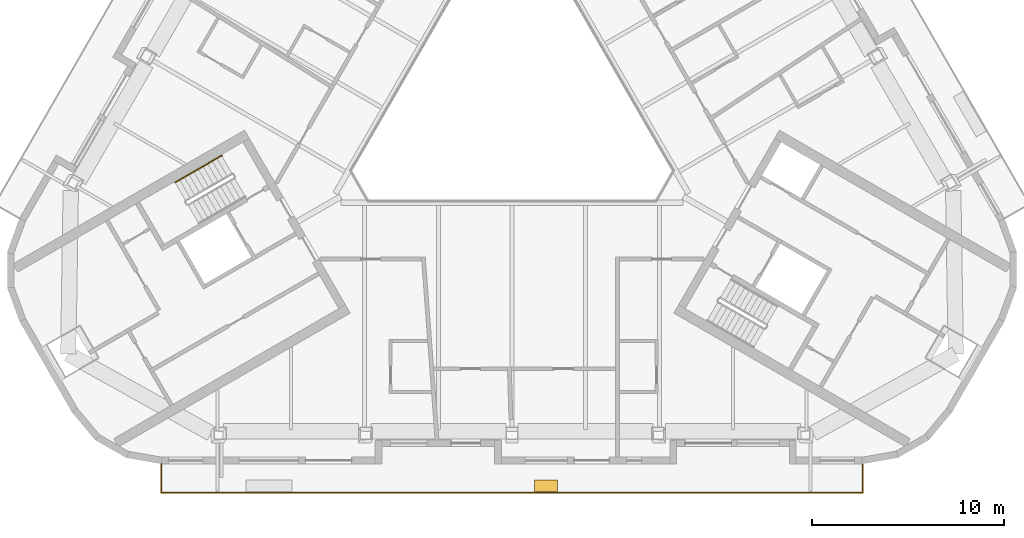
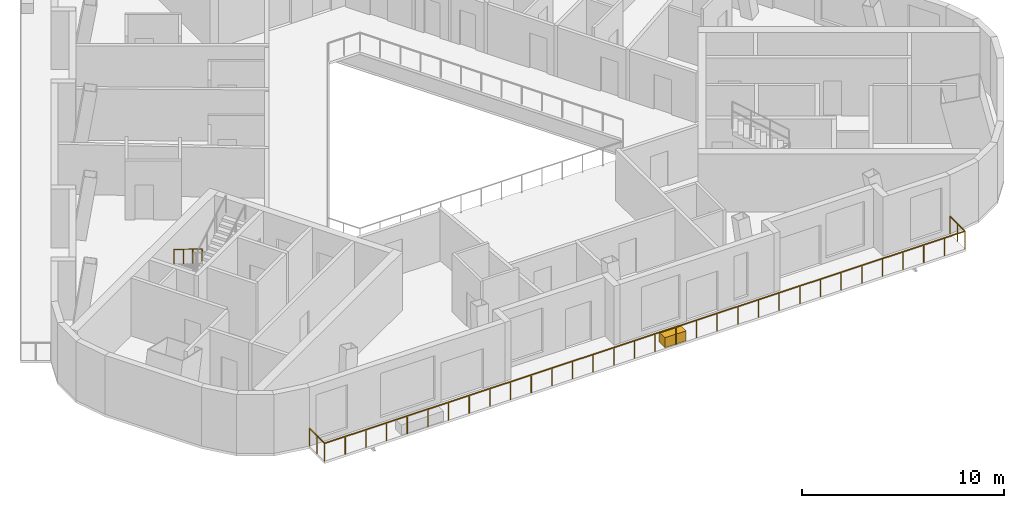
# One storey, part 10 of 14: 2 railings, 1 covering.
"""IFC4 building model written with IfcOpenShell, lengths in metres."""

from ifc_helpers import new_model, si_unit, direction, frame, origin, origin_2d, place, context, subcontext, project, spatial, rectangle, circle, extrude, material, type_object, element, save


model = new_model("IFC4")

# Units and contexts
model_context = context("Model", 3, precision=1e-05, world=origin(), true_north=direction((0.0, 1.0)))
body_context = subcontext(model_context, "Body", "Model", "MODEL_VIEW")
ifc_project = project(units=[si_unit("LENGTHUNIT", "METRE"), si_unit("AREAUNIT", "SQUARE_METRE"), si_unit("VOLUMEUNIT", "CUBIC_METRE"), si_unit("PLANEANGLEUNIT", "RADIAN"), si_unit("MASSUNIT", "GRAM", prefix="KILO")], contexts=[model_context])

# Site, building, storey
site_placement = place(None, origin())
site = spatial("IfcSite", under=ifc_project, at=site_placement, CompositionType="ELEMENT")
building_placement = place(site_placement, origin())
building = spatial("IfcBuilding", under=site, at=building_placement, Name="Apuvela Tower Hotel", CompositionType="ELEMENT")
storey_placement = place(building_placement, frame((0.0, 0.0, 265.199951171875)))
storey = spatial("IfcBuildingStorey", under=building, at=storey_placement, Name="L65", CompositionType="ELEMENT", Elevation=265.199951171875)

# Railings
ifc_material_1 = material(Name="Stainless steel 316 handrail", Category="steel")
railing_type_1 = type_object("IfcRailingType", Name="COR-HANDRAIL-900", PredefinedType="HANDRAIL", material=ifc_material_1)
railing_1_placement = place(storey_placement, frame((-15.118896484375, -3.01318359375, 0.168212890625)))
element("IfcRailing", 1, at=railing_1_placement, inside=storey, type_object=railing_type_1, Name="L65 ST2 stair handrail 1", PredefinedType="HANDRAIL", context=body_context, shape_type="SweptSolid", body=[
    extrude(circle(Radius=0.02392578125, at=origin_2d()), frame((0.0, 0.0, 0.8759765625), z_axis=(-0.742424030051, -0.428577407461, 0.514905783049), x_axis=(0.49994636267, -0.866056369097, 0.0)), (0.0, 0.0, 1.0), 3.266357421875),
    extrude(rectangle(XDim=0.0419921875, YDim=0.0419921875, at=origin_2d()), origin(), (0.0, 0.0, 1.0), 0.851806640625),
    extrude(rectangle(XDim=0.0419921875, YDim=0.0419921875, at=origin_2d()), frame((-0.808349609375, -0.466552734375, 0.560546875)), (0.0, 0.0, 1.0), 0.851806640625),
    extrude(rectangle(XDim=0.0419921875, YDim=0.0419921875, at=origin_2d()), frame((-1.61669921875, -0.933349609375, 1.121337890625)), (0.0, 0.0, 1.0), 0.851806640625),
    extrude(rectangle(XDim=0.0419921875, YDim=0.0419921875, at=origin_2d()), frame((-2.425048828125, -1.39990234375, 1.681884765625)), (0.0, 0.0, 1.0), 0.851806640625),
])
ifc_material_2 = material(Name="Stainless steel 316 rail with laminated glass infill", Category="steel")
railing_type_2 = type_object("IfcRailingType", Name="ENV-GUARD-1100", PredefinedType="GUARDRAIL", material=ifc_material_2)
railing_2_placement = place(storey_placement, frame((-18.272216796875, -19.06298828125, 0.0)))
element("IfcRailing", 2, at=railing_2_placement, inside=storey, type_object=railing_type_2, Name="Balcony guard S L65", PredefinedType="GUARDRAIL", context=body_context, shape_type="SweptSolid", body=[
    extrude(rectangle(XDim=0.050048828125, YDim=0.050048828125, at=origin_2d()), frame((0.0, 0.0, 1.0751953125), z_axis=(0.0, -1.0, 0.0), x_axis=(1.0, 0.0, 0.0)), (0.0, 0.0, 1.0), 1.5),
    extrude(rectangle(XDim=0.050048828125, YDim=0.050048828125, at=origin_2d()), frame((0.0, -1.5, 1.0751953125), z_axis=(1.0, 0.0, 0.0), x_axis=(0.0, 1.0, 0.0)), (0.0, 0.0, 1.0), 36.54443359375),
    extrude(rectangle(XDim=0.050048828125, YDim=0.050048828125, at=origin_2d()), frame((36.54443359375, -1.5, 1.0751953125), z_axis=(0.0, 1.0, 0.0), x_axis=(-1.0, 0.0, 0.0)), (0.0, 0.0, 1.0), 1.5),
    extrude(rectangle(XDim=0.0400390625, YDim=0.0400390625, at=origin_2d()), origin(), (0.0, 0.0, 1.0), 1.050048828125),
    extrude(rectangle(XDim=0.0400390625, YDim=0.0400390625, at=origin_2d()), frame((0.0, -0.75, 0.0)), (0.0, 0.0, 1.0), 1.050048828125),
    extrude(rectangle(XDim=0.0400390625, YDim=0.0400390625, at=origin_2d()), frame((0.0, -1.5, 0.0)), (0.0, 0.0, 1.0), 1.050048828125),
    extrude(rectangle(XDim=0.0400390625, YDim=0.0400390625, at=origin_2d()), frame((1.178955078125, -1.5, 0.0)), (0.0, 0.0, 1.0), 1.050048828125),
    extrude(rectangle(XDim=0.0400390625, YDim=0.0400390625, at=origin_2d()), frame((2.357666015625, -1.5, 0.0)), (0.0, 0.0, 1.0), 1.050048828125),
    extrude(rectangle(XDim=0.0400390625, YDim=0.0400390625, at=origin_2d()), frame((3.53662109375, -1.5, 0.0)), (0.0, 0.0, 1.0), 1.050048828125),
    extrude(rectangle(XDim=0.0400390625, YDim=0.0400390625, at=origin_2d()), frame((4.71533203125, -1.5, 0.0)), (0.0, 0.0, 1.0), 1.050048828125),
    extrude(rectangle(XDim=0.0400390625, YDim=0.0400390625, at=origin_2d()), frame((5.894287109375, -1.5, 0.0)), (0.0, 0.0, 1.0), 1.050048828125),
    extrude(rectangle(XDim=0.0400390625, YDim=0.0400390625, at=origin_2d()), frame((7.072998046875, -1.5, 0.0)), (0.0, 0.0, 1.0), 1.050048828125),
    extrude(rectangle(XDim=0.0400390625, YDim=0.0400390625, at=origin_2d()), frame((8.251953125, -1.5, 0.0)), (0.0, 0.0, 1.0), 1.050048828125),
    extrude(rectangle(XDim=0.0400390625, YDim=0.0400390625, at=origin_2d()), frame((9.430908203125, -1.5, 0.0)), (0.0, 0.0, 1.0), 1.050048828125),
    extrude(rectangle(XDim=0.0400390625, YDim=0.0400390625, at=origin_2d()), frame((10.609619140625, -1.5, 0.0)), (0.0, 0.0, 1.0), 1.050048828125),
    extrude(rectangle(XDim=0.0400390625, YDim=0.0400390625, at=origin_2d()), frame((11.78857421875, -1.5, 0.0)), (0.0, 0.0, 1.0), 1.050048828125),
    extrude(rectangle(XDim=0.0400390625, YDim=0.0400390625, at=origin_2d()), frame((12.96728515625, -1.5, 0.0)), (0.0, 0.0, 1.0), 1.050048828125),
    extrude(rectangle(XDim=0.0400390625, YDim=0.0400390625, at=origin_2d()), frame((14.146240234375, -1.5, 0.0)), (0.0, 0.0, 1.0), 1.050048828125),
    extrude(rectangle(XDim=0.0400390625, YDim=0.0400390625, at=origin_2d()), frame((15.3251953125, -1.5, 0.0)), (0.0, 0.0, 1.0), 1.050048828125),
    extrude(rectangle(XDim=0.0400390625, YDim=0.0400390625, at=origin_2d()), frame((16.50390625, -1.5, 0.0)), (0.0, 0.0, 1.0), 1.050048828125),
    extrude(rectangle(XDim=0.0400390625, YDim=0.0400390625, at=origin_2d()), frame((17.682861328125, -1.5, 0.0)), (0.0, 0.0, 1.0), 1.050048828125),
    extrude(rectangle(XDim=0.0400390625, YDim=0.0400390625, at=origin_2d()), frame((18.861572265625, -1.5, 0.0)), (0.0, 0.0, 1.0), 1.050048828125),
    extrude(rectangle(XDim=0.0400390625, YDim=0.0400390625, at=origin_2d()), frame((20.04052734375, -1.5, 0.0)), (0.0, 0.0, 1.0), 1.050048828125),
    extrude(rectangle(XDim=0.0400390625, YDim=0.0400390625, at=origin_2d()), frame((21.21923828125, -1.5, 0.0)), (0.0, 0.0, 1.0), 1.050048828125),
    extrude(rectangle(XDim=0.0400390625, YDim=0.0400390625, at=origin_2d()), frame((22.398193359375, -1.5, 0.0)), (0.0, 0.0, 1.0), 1.050048828125),
    extrude(rectangle(XDim=0.0400390625, YDim=0.0400390625, at=origin_2d()), frame((23.5771484375, -1.5, 0.0)), (0.0, 0.0, 1.0), 1.050048828125),
    extrude(rectangle(XDim=0.0400390625, YDim=0.0400390625, at=origin_2d()), frame((24.755859375, -1.5, 0.0)), (0.0, 0.0, 1.0), 1.050048828125),
    extrude(rectangle(XDim=0.0400390625, YDim=0.0400390625, at=origin_2d()), frame((25.934814453125, -1.5, 0.0)), (0.0, 0.0, 1.0), 1.050048828125),
    extrude(rectangle(XDim=0.0400390625, YDim=0.0400390625, at=origin_2d()), frame((27.113525390625, -1.5, 0.0)), (0.0, 0.0, 1.0), 1.050048828125),
    extrude(rectangle(XDim=0.0400390625, YDim=0.0400390625, at=origin_2d()), frame((28.29248046875, -1.5, 0.0)), (0.0, 0.0, 1.0), 1.050048828125),
    extrude(rectangle(XDim=0.0400390625, YDim=0.0400390625, at=origin_2d()), frame((29.471435546875, -1.5, 0.0)), (0.0, 0.0, 1.0), 1.050048828125),
    extrude(rectangle(XDim=0.0400390625, YDim=0.0400390625, at=origin_2d()), frame((30.650146484375, -1.5, 0.0)), (0.0, 0.0, 1.0), 1.050048828125),
    extrude(rectangle(XDim=0.0400390625, YDim=0.0400390625, at=origin_2d()), frame((31.8291015625, -1.5, 0.0)), (0.0, 0.0, 1.0), 1.050048828125),
    extrude(rectangle(XDim=0.0400390625, YDim=0.0400390625, at=origin_2d()), frame((33.0078125, -1.5, 0.0)), (0.0, 0.0, 1.0), 1.050048828125),
    extrude(rectangle(XDim=0.0400390625, YDim=0.0400390625, at=origin_2d()), frame((34.186767578125, -1.5, 0.0)), (0.0, 0.0, 1.0), 1.050048828125),
    extrude(rectangle(XDim=0.0400390625, YDim=0.0400390625, at=origin_2d()), frame((35.365478515625, -1.5, 0.0)), (0.0, 0.0, 1.0), 1.050048828125),
    extrude(rectangle(XDim=0.0400390625, YDim=0.0400390625, at=origin_2d()), frame((36.54443359375, -1.5, 0.0)), (0.0, 0.0, 1.0), 1.050048828125),
    extrude(rectangle(XDim=0.0400390625, YDim=0.0400390625, at=origin_2d()), frame((36.54443359375, -0.75, 0.0)), (0.0, 0.0, 1.0), 1.050048828125),
    extrude(rectangle(XDim=0.0400390625, YDim=0.0400390625, at=origin_2d()), frame((36.54443359375, 0.0, 0.0)), (0.0, 0.0, 1.0), 1.050048828125),
])

# Covering
ifc_material_3 = material(Name="Planting substrate and soil, planted")
covering_type = type_object("IfcCoveringType", Name="ENV-PLANTER-1200x600", PredefinedType="USERDEFINED", material=ifc_material_3)
covering_placement = place(storey_placement, frame((1.779052734375, -20.212890625, 0.0), z_axis=(0.0, 0.0, 1.0), x_axis=(1.0, 0.0, 0.0)))
element("IfcCovering", 3, at=covering_placement, inside=storey, type_object=covering_type, Name="Planter S2", ObjectType="PLANTER", PredefinedType="USERDEFINED", context=body_context, shape_type="SweptSolid", body=[
    extrude(rectangle(XDim=1.199951171875, YDim=0.60009765625, at=origin_2d()), origin(), (0.0, 0.0, 1.0), 0.60009765625),
])

save(model, "model.ifc")
